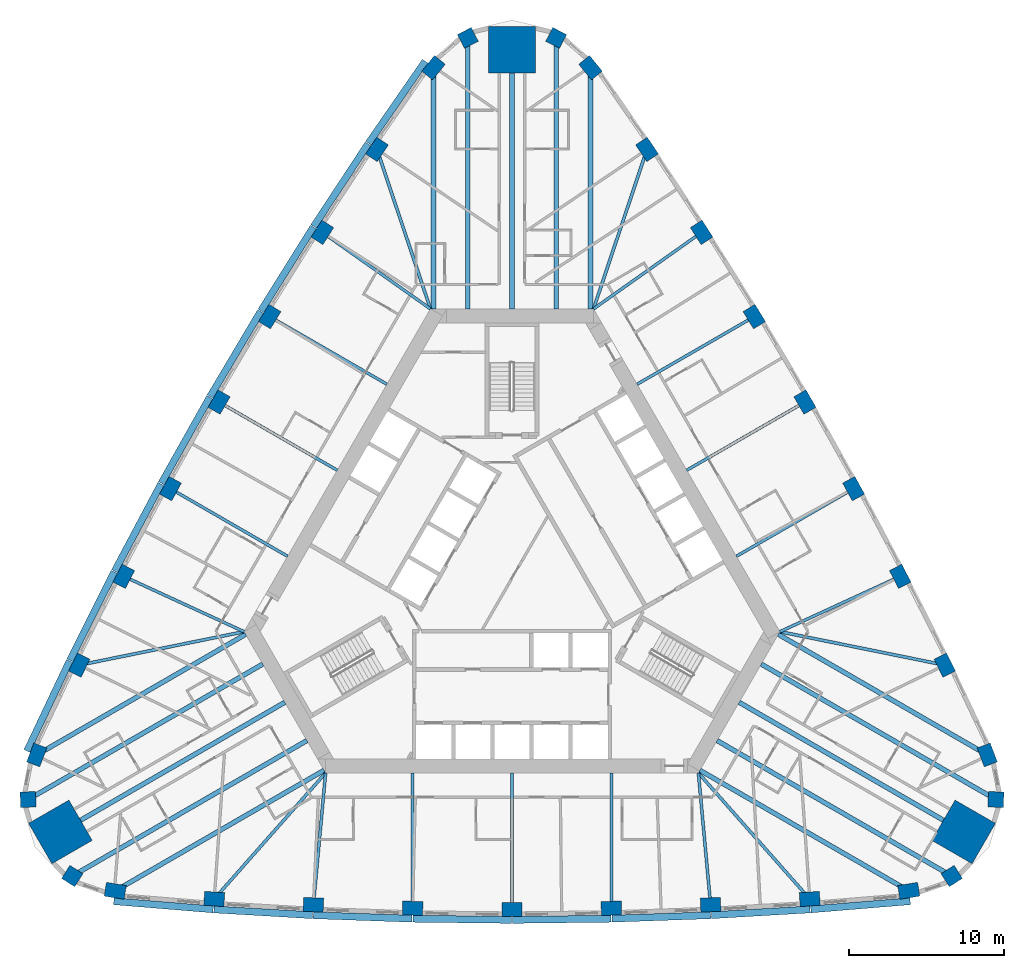
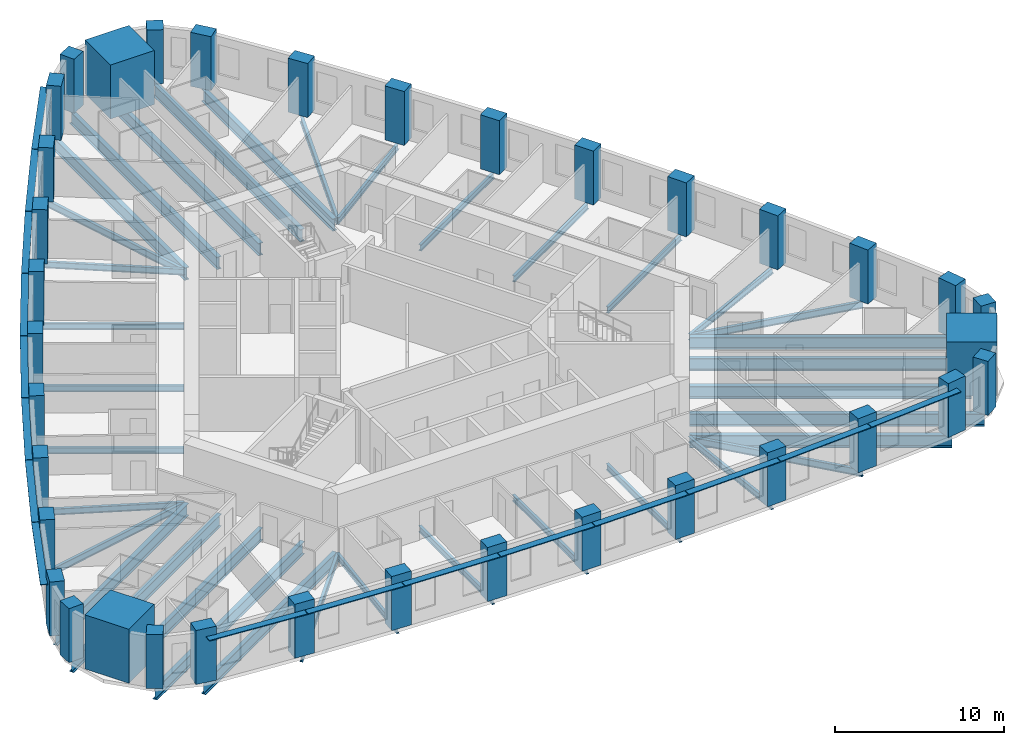
# One storey, part 1 of 13: 36 beams, 36 columns, 16 members.
"""IFC4 building model written with IfcOpenShell, lengths in metres."""

from ifc_helpers import new_model, si_unit, direction, frame, origin, origin_2d, place, context, subcontext, project, spatial, rectangle, i_section, extrude, material, material_profile, profile_set, type_object, element, save


model = new_model("IFC4")

# Units and contexts
model_context = context("Model", 3, precision=1e-05, world=origin(), true_north=direction((0.0, 1.0)))
body_context = subcontext(model_context, "Body", "Model", "MODEL_VIEW")
ifc_project = project(units=[si_unit("LENGTHUNIT", "METRE"), si_unit("AREAUNIT", "SQUARE_METRE"), si_unit("VOLUMEUNIT", "CUBIC_METRE"), si_unit("PLANEANGLEUNIT", "RADIAN"), si_unit("MASSUNIT", "GRAM", prefix="KILO")], contexts=[model_context])

# Site, building, storey
site_placement = place(None, origin())
site = spatial("IfcSite", under=ifc_project, at=site_placement, CompositionType="ELEMENT")
building_placement = place(site_placement, origin())
building = spatial("IfcBuilding", under=site, at=building_placement, Name="Mestral Congress Tower", CompositionType="ELEMENT")
storey_placement = place(building_placement, frame((0.0, 0.0, 83.699951171875)))
storey = spatial("IfcBuildingStorey", under=building, at=storey_placement, Name="L19", CompositionType="ELEMENT", Elevation=83.699951171875)

# Columns
ifc_material_1 = material(Name="Concrete C70/85", Category="concrete")
ifc_material_profile_1 = material_profile(ifc_material_1, rectangle(XDim=1.0, YDim=1.0, at=origin_2d()), Name="RC 1000x1000")
ifc_profile_set_1 = profile_set([ifc_material_profile_1], Name="Concrete C70/85")
column_type_1 = type_object("IfcColumnType", Name="Column RC 1000x1000 C70/85", PredefinedType="COLUMN", material=ifc_profile_set_1)
for number, where, z_axis, x_axis, name in (
    (1, (28.331298828125, -19.642822265625, 0.0), (0.0, 0.0, 1.0), (0.841700252504, 0.53994507585, 0.0), "COL-L19-C2-SE1"),
    (2, (31.1767578125, -14.714111328125, 0.0), (0.0, 0.0, 1.0), (0.046756026083, 0.998906338965, 0.0), "COL-L19-C2-SE3"),
    (3, (2.845703125, 34.35693359375, 0.0), (0.0, 0.0, 1.0), (-0.888456278587, 0.458961263115, 0.0), "COL-L19-C2-N1"),
    (4, (-2.845703125, 34.35693359375, 0.0), (0.0, 0.0, 1.0), (-0.888456278587, -0.458961263115, 0.0), "COL-L19-C2-N3"),
    (5, (-31.1767578125, -14.714111328125, 0.0), (0.0, 0.0, 1.0), (0.046756026083, -0.998906338965, 0.0), "COL-L19-C2-SW1"),
    (6, (-28.331298828125, -19.642822265625, 0.0), (0.0, 0.0, 1.0), (0.841700252504, -0.53994507585, 0.0), "COL-L19-C2-SW3"),
):
    element("IfcColumn", number, at=place(storey_placement, frame(where, z_axis=z_axis, x_axis=x_axis)), inside=storey, type_object=column_type_1, Name=name, PredefinedType="COLUMN", context=body_context, shape_type="SweptSolid", body=[
        extrude(rectangle(XDim=1.0, YDim=1.0, at=origin_2d()), origin(), (0.0, 0.0, 1.0), 3.900146484375),
    ])
ifc_material_profile_2 = material_profile(ifc_material_1, rectangle(XDim=1.300048828125, YDim=0.89990234375, at=origin_2d()), Name="RC 1300x900")
ifc_profile_set_2 = profile_set([ifc_material_profile_2], Name="Concrete C70/85")
column_type_2 = type_object("IfcColumnType", Name="Column RC 1300x900 C70/85", PredefinedType="COLUMN", material=ifc_profile_set_2)
for number, where, z_axis, x_axis, name in (
    (7, (-25.562744140625, -20.59716796875, 0.0), (0.0, 0.0, 1.0), (0.987202314361, -0.159472851987, 0.0), "COL-L19-C2-S00"),
    (8, (-19.184326171875, -21.120361328125, 0.0), (0.0, 0.0, 1.0), (0.997539884588, -0.07010120296, 0.0), "COL-L19-C2-S01"),
    (9, (-12.79541015625, -21.494384765625, 0.0), (0.0, 0.0, 1.0), (0.998906338965, -0.046756026083, 0.0), "COL-L19-C2-S02"),
    (10, (-6.3994140625, -21.71875, 0.0), (0.0, 0.0, 1.0), (0.99972656776, -0.023383535144, 0.0), "COL-L19-C2-S03"),
    (11, (0.0, -21.793701171875, 0.0), (0.0, 0.0, 1.0), (1.0, 0.0, 0.0), "COL-L19-C2-S04"),
    (12, (6.3994140625, -21.71875, 0.0), (0.0, 0.0, 1.0), (0.99972656776, 0.023383535144, 0.0), "COL-L19-C2-S05"),
    (13, (12.79541015625, -21.494384765625, 0.0), (0.0, 0.0, 1.0), (0.998906338965, 0.046756026083, 0.0), "COL-L19-C2-S06"),
    (14, (19.184326171875, -21.120361328125, 0.0), (0.0, 0.0, 1.0), (0.997539884588, 0.07010120296, 0.0), "COL-L19-C2-S07"),
    (15, (25.562744140625, -20.59716796875, 0.0), (0.0, 0.0, 1.0), (0.987202314361, 0.159472851987, 0.0), "COL-L19-C2-S08"),
    (16, (30.618896484375, -11.83935546875, 0.0), (0.0, 0.0, 1.0), (-0.355493616145, 0.934678708905, 0.0), "COL-L19-C2-E00"),
    (17, (27.8828125, -6.0537109375, 0.0), (0.0, 0.0, 1.0), (-0.438060519695, 0.898945482821, 0.0), "COL-L19-C2-E01"),
    (18, (25.01220703125, -0.333984375, 0.0), (0.0, 0.0, 1.0), (-0.458961263115, 0.888456278587, 0.0), "COL-L19-C2-E02"),
    (19, (22.0087890625, 5.3173828125, 0.0), (0.0, 0.0, 1.0), (-0.479612548415, 0.87748037209, 0.0), "COL-L19-C2-E03"),
    (20, (18.873779296875, 10.896728515625, 0.0), (0.0, 0.0, 1.0), (-0.5, 0.866025403784, 0.0), "COL-L19-C2-E04"),
    (21, (15.609375, 16.401611328125, 0.0), (0.0, 0.0, 1.0), (-0.520114019344, 0.854096836946, 0.0), "COL-L19-C2-E05"),
    (22, (12.217041015625, 21.828369140625, 0.0), (0.0, 0.0, 1.0), (-0.53994507585, 0.841700252504, 0.0), "COL-L19-C2-E06"),
    (23, (8.69873046875, 27.17431640625, 0.0), (0.0, 0.0, 1.0), (-0.559479364893, 0.828844279861, 0.0), "COL-L19-C2-E07"),
    (24, (5.056396484375, 32.4365234375, 0.0), (0.0, 0.0, 1.0), (-0.631708698215, 0.775205856918, 0.0), "COL-L19-C2-E08"),
    (25, (-5.056396484375, 32.4365234375, 0.0), (0.0, 0.0, 1.0), (-0.631708698215, -0.775205856918, 0.0), "COL-L19-C2-W00"),
    (26, (-8.69873046875, 27.17431640625, 0.0), (0.0, 0.0, 1.0), (-0.559479364893, -0.828844279861, 0.0), "COL-L19-C2-W01"),
    (27, (-12.217041015625, 21.828369140625, 0.0), (0.0, 0.0, 1.0), (-0.53994507585, -0.841700252504, 0.0), "COL-L19-C2-W02"),
    (28, (-15.609375, 16.401611328125, 0.0), (0.0, 0.0, 1.0), (-0.520114019344, -0.854096836946, 0.0), "COL-L19-C2-W03"),
    (29, (-18.873779296875, 10.896728515625, 0.0), (0.0, 0.0, 1.0), (-0.5, -0.866025403784, 0.0), "COL-L19-C2-W04"),
    (30, (-22.0087890625, 5.3173828125, 0.0), (0.0, 0.0, 1.0), (-0.479612548415, -0.87748037209, 0.0), "COL-L19-C2-W05"),
    (31, (-25.01220703125, -0.333984375, 0.0), (0.0, 0.0, 1.0), (-0.458961263115, -0.888456278587, 0.0), "COL-L19-C2-W06"),
    (32, (-27.8828125, -6.0537109375, 0.0), (0.0, 0.0, 1.0), (-0.438060519695, -0.898945482821, 0.0), "COL-L19-C2-W07"),
    (33, (-30.618896484375, -11.83935546875, 0.0), (0.0, 0.0, 1.0), (-0.355493616145, -0.934678708905, 0.0), "COL-L19-C2-W08"),
):
    element("IfcColumn", number, at=place(storey_placement, frame(where, z_axis=z_axis, x_axis=x_axis)), inside=storey, type_object=column_type_2, Name=name, PredefinedType="COLUMN", context=body_context, shape_type="SweptSolid", body=[
        extrude(rectangle(XDim=1.300048828125, YDim=0.89990234375, at=origin_2d()), origin(), (0.0, 0.0, 1.0), 3.900146484375),
    ])
ifc_material_2 = material(Name="Concrete C80/95", Category="concrete")
ifc_material_profile_3 = material_profile(ifc_material_2, rectangle(XDim=3.0, YDim=3.0, at=origin_2d()), Name="RC 3000x3000")
ifc_profile_set_3 = profile_set([ifc_material_profile_3], Name="Concrete C80/95")
column_type_3 = type_object("IfcColumnType", Name="Mega column RC 3000x3000 C80/95", PredefinedType="COLUMN", material=ifc_profile_set_3)
for number, where, z_axis, x_axis, name in (
    (34, (29.09716796875, -16.79931640625, 0.0), (0.0, 0.0, 1.0), (0.866025403784, -0.5, 0.0), "COL-L19-PY2-SE"),
    (35, (0.0, 33.598388671875, 0.0), (0.0, 0.0, 1.0), (0.0, 1.0, 0.0), "COL-L19-PY2-N"),
    (36, (-29.09716796875, -16.79931640625, 0.0), (0.0, 0.0, 1.0), (-0.866025403784, -0.5, 0.0), "COL-L19-PY2-SW"),
):
    element("IfcColumn", number, at=place(storey_placement, frame(where, z_axis=z_axis, x_axis=x_axis)), inside=storey, type_object=column_type_3, Name=name, PredefinedType="COLUMN", context=body_context, shape_type="SweptSolid", body=[
        extrude(rectangle(XDim=3.0, YDim=3.0, at=origin_2d()), origin(), (0.0, 0.0, 1.0), 3.900146484375),
    ])

# Members
ifc_material_3 = material(Name="Glazed ceramic", Category="masonry")
ifc_material_profile_4 = material_profile(ifc_material_3, rectangle(XDim=0.449951171875, YDim=0.06005859375, at=origin_2d()), Name="Ceramic blade 450 x 60")
ifc_profile_set_4 = profile_set([ifc_material_profile_4], Name="Glazed ceramic")
member_type = type_object("IfcMemberType", Name="Facade sunshade blade 450 x 60", PredefinedType="USERDEFINED", material=ifc_profile_set_4)
member_1_placement = place(storey_placement, frame((-25.654296875, -21.266845703125, 3.280029296875), z_axis=(0.996650616323, -0.081777435656, 0.0), x_axis=(0.081777435656, 0.996650616323, 0.0)))
element("IfcMember", 37, at=member_1_placement, inside=storey, type_object=member_type, Name="Sunshade F0-00", ObjectType="SUNSHADE", PredefinedType="USERDEFINED", context=body_context, shape_type="SweptSolid", body=[
    extrude(rectangle(XDim=0.449951171875, YDim=0.06005859375, at=origin_2d()), origin(), (0.0, 0.0, 1.0), 6.421630859375),
])
for number, where, z_axis, x_axis, name in (
    (38, (-19.208984375, -21.795166015625, 3.280029296875), (0.998292825409, -0.05840748871, 0.0), (0.05840748871, 0.998292825409, 0.0), "Sunshade F0-01"),
    (39, (-12.80419921875, -22.16943359375, 3.280029296875), (0.999384970229, -0.035066811664, 0.0), (0.035066811664, 0.999384970229, 0.0), "Sunshade F0-02"),
    (40, (-6.392578125, -22.393798828125, 3.280029296875), (0.999931231966, -0.011727375608, 0.0), (0.011727375608, 0.999931231966, 0.0), "Sunshade F0-03"),
    (41, (0.022705078125, -22.468505859375, 3.280029296875), (0.999931231966, 0.011727375608, 0.0), (-0.011727375608, 0.999931231966, 0.0), "Sunshade F0-04"),
    (42, (6.437744140625, -22.392822265625, 3.280029296875), (0.999384970229, 0.035066811664, 0.0), (-0.035066811664, 0.999384970229, 0.0), "Sunshade F0-05"),
    (43, (12.849609375, -22.167236328125, 3.280029296875), (0.998292825409, 0.05840748871, 0.0), (-0.05840748871, 0.998292825409, 0.0), "Sunshade F0-06"),
):
    element("IfcMember", number, at=place(storey_placement, frame(where, z_axis=z_axis, x_axis=x_axis)), inside=storey, type_object=member_type, Name=name, ObjectType="SUNSHADE", PredefinedType="USERDEFINED", context=body_context, shape_type="SweptSolid", body=[
        extrude(rectangle(XDim=0.449951171875, YDim=0.06005859375, at=origin_2d()), origin(), (0.0, 0.0, 1.0), 6.370361328125),
    ])
for number, where, z_axis, x_axis, name in (
    (44, (19.254150390625, -21.7919921875, 3.280029296875), (0.996650616323, 0.081777435656, 0.0), (-0.081777435656, 0.996650616323, 0.0), "Sunshade F0-07"),
    (45, (-5.590576171875, 32.8505859375, 3.280029296875), (-0.569144736399, -0.822237355652, 0.0), (0.822237355652, -0.569144736399, 0.0), "Sunshade F2-00"),
):
    element("IfcMember", number, at=place(storey_placement, frame(where, z_axis=z_axis, x_axis=x_axis)), inside=storey, type_object=member_type, Name=name, ObjectType="SUNSHADE", PredefinedType="USERDEFINED", context=body_context, shape_type="SweptSolid", body=[
        extrude(rectangle(XDim=0.449951171875, YDim=0.06005859375, at=origin_2d()), origin(), (0.0, 0.0, 1.0), 6.421630859375),
    ])
for number, where, z_axis, x_axis, name in (
    (46, (-9.2705078125, 27.532958984375, 3.280029296875), (-0.549764307833, -0.835319822483, 0.0), (0.835319822483, -0.549764307833, 0.0), "Sunshade F2-01"),
    (47, (-12.797119140625, 22.173583984375, 3.280029296875), (-0.530060946156, -0.847959547007, 0.0), (0.847959547007, -0.530060946156, 0.0), "Sunshade F2-02"),
    (48, (-16.197509765625, 16.733154296875, 3.280029296875), (-0.510098606231, -0.86011592935, 0.0), (0.86011592935, -0.510098606231, 0.0), "Sunshade F2-03"),
    (49, (-19.469482421875, 11.214599609375, 3.280029296875), (-0.489860886888, -0.871800614531, 0.0), (0.871800614531, -0.489860886888, 0.0), "Sunshade F2-04"),
    (50, (-22.61181640625, 5.62109375, 3.280029296875), (-0.469318672425, -0.883028869128, 0.0), (0.883028869128, -0.469318672425, 0.0), "Sunshade F2-05"),
):
    element("IfcMember", number, at=place(storey_placement, frame(where, z_axis=z_axis, x_axis=x_axis)), inside=storey, type_object=member_type, Name=name, ObjectType="SUNSHADE", PredefinedType="USERDEFINED", context=body_context, shape_type="SweptSolid", body=[
        extrude(rectangle(XDim=0.449951171875, YDim=0.06005859375, at=origin_2d()), origin(), (0.0, 0.0, 1.0), 6.370361328125),
    ])
member_2_placement = place(storey_placement, frame((-25.622314453125, -0.04443359375, 3.280029296875), z_axis=(-0.448531530965, -0.893767008638, 0.0), x_axis=(0.893767008638, -0.448531530965, 0.0)))
element("IfcMember", 51, at=member_2_placement, inside=storey, type_object=member_type, Name="Sunshade F2-06", ObjectType="SUNSHADE", PredefinedType="USERDEFINED", context=body_context, shape_type="SweptSolid", body=[
    extrude(rectangle(XDim=0.449951171875, YDim=0.06005859375, at=origin_2d()), origin(), (0.0, 0.0, 1.0), 6.3701171875),
])
member_3_placement = place(storey_placement, frame((-28.49951171875, -5.778564453125, 3.280029296875), z_axis=(-0.427519164001, -0.904006285604, 0.0), x_axis=(0.904006285604, -0.427519164001, 0.0)))
element("IfcMember", 52, at=member_3_placement, inside=storey, type_object=member_type, Name="Sunshade F2-07", ObjectType="SUNSHADE", PredefinedType="USERDEFINED", context=body_context, shape_type="SweptSolid", body=[
    extrude(rectangle(XDim=0.449951171875, YDim=0.06005859375, at=origin_2d()), origin(), (0.0, 0.0, 1.0), 6.421630859375),
])

# Beams
ifc_material_4 = material(Name="Steel S355", Category="steel")
ifc_material_profile_5 = material_profile(ifc_material_4, i_section(OverallWidth=0.300048828125, OverallDepth=0.89990234375, WebThickness=0.0185546875, FlangeThickness=0.034912109375, FilletRadius=0.030029296875, at=origin_2d()), Name="HEB 900")
ifc_profile_set_5 = profile_set([ifc_material_profile_5], Name="Steel S355")
beam_type_1 = type_object("IfcBeamType", Name="Floor beam HEB 900 S355", PredefinedType="BEAM", material=ifc_profile_set_5)
for number, where, z_axis, x_axis, name in (
    (53, (-25.562744140625, -20.59716796875, -0.699951171875), (0.866024914115, 0.500000848131, 0.0), (-0.500000848131, 0.866024914115, 0.0), "BM-L19-RB2-S00"),
    (54, (25.562744140625, -20.59716796875, -0.699951171875), (-0.866024914115, 0.500000848131, 0.0), (-0.500000848131, -0.866024914115, 0.0), "BM-L19-RB2-S08"),
):
    element("IfcBeam", number, at=place(storey_placement, frame(where, z_axis=z_axis, x_axis=x_axis)), inside=storey, type_object=beam_type_1, Name=name, PredefinedType="BEAM", context=body_context, shape_type="SweptSolid", body=[
        extrude(i_section(OverallWidth=0.300048828125, OverallDepth=0.89990234375, WebThickness=0.0185546875, FlangeThickness=0.034912109375, FilletRadius=0.030029296875, at=origin_2d()), origin(), (0.0, 0.0, 1.0), 15.53662109375),
    ])
beam_1_placement = place(storey_placement, frame((28.331298828125, -19.642822265625, -0.699951171875), z_axis=(-0.866024423162, 0.500001698484, 0.0), x_axis=(-0.500001698484, -0.866024423162, 0.0)))
element("IfcBeam", 55, at=beam_1_placement, inside=storey, type_object=beam_type_1, Name="BM-L19-RB2-SE1", PredefinedType="BEAM", context=body_context, shape_type="SweptSolid", body=[
    extrude(i_section(OverallWidth=0.300048828125, OverallDepth=0.89990234375, WebThickness=0.0185546875, FlangeThickness=0.034912109375, FilletRadius=0.030029296875, at=origin_2d()), origin(), (0.0, 0.0, 1.0), 17.45703125),
])
beam_2_placement = place(storey_placement, frame((29.09716796875, -16.79931640625, -0.699951171875), z_axis=(-0.86602392139, 0.500002567573, 0.0), x_axis=(-0.500002567573, -0.86602392139, 0.0)))
element("IfcBeam", 56, at=beam_2_placement, inside=storey, type_object=beam_type_1, Name="BM-L19-RB2-SE", PredefinedType="BEAM", context=body_context, shape_type="SweptSolid", body=[
    extrude(i_section(OverallWidth=0.300048828125, OverallDepth=0.89990234375, WebThickness=0.0185546875, FlangeThickness=0.034912109375, FilletRadius=0.030029296875, at=origin_2d()), origin(), (0.0, 0.0, 1.0), 16.69873046875),
])
beam_3_placement = place(storey_placement, frame((31.1767578125, -14.714111328125, -0.699951171875), z_axis=(-0.866024423162, 0.500001698484, 0.0), x_axis=(-0.500001698484, -0.866024423162, 0.0)))
element("IfcBeam", 57, at=beam_3_placement, inside=storey, type_object=beam_type_1, Name="BM-L19-RB2-SE3", PredefinedType="BEAM", context=body_context, shape_type="SweptSolid", body=[
    extrude(i_section(OverallWidth=0.300048828125, OverallDepth=0.89990234375, WebThickness=0.0185546875, FlangeThickness=0.034912109375, FilletRadius=0.030029296875, at=origin_2d()), origin(), (0.0, 0.0, 1.0), 17.45703125),
])
beam_4_placement = place(storey_placement, frame((30.618896484375, -11.83935546875, -0.699951171875), z_axis=(-0.866020985544, 0.500007652538, 0.0), x_axis=(-0.500007652538, -0.866020985544, 0.0)))
element("IfcBeam", 58, at=beam_4_placement, inside=storey, type_object=beam_type_1, Name="BM-L19-RB2-E00", PredefinedType="BEAM", context=body_context, shape_type="SweptSolid", body=[
    extrude(i_section(OverallWidth=0.300048828125, OverallDepth=0.89990234375, WebThickness=0.0185546875, FlangeThickness=0.034912109375, FilletRadius=0.030029296875, at=origin_2d()), origin(), (0.0, 0.0, 1.0), 15.536376953125),
])
beam_5_placement = place(storey_placement, frame((5.056396484375, 32.4365234375, -0.699951171875), z_axis=(0.0, -1.0, 0.0), x_axis=(1.0, 0.0, 0.0)))
element("IfcBeam", 59, at=beam_5_placement, inside=storey, type_object=beam_type_1, Name="BM-L19-RB2-E08", PredefinedType="BEAM", context=body_context, shape_type="SweptSolid", body=[
    extrude(i_section(OverallWidth=0.300048828125, OverallDepth=0.89990234375, WebThickness=0.0185546875, FlangeThickness=0.034912109375, FilletRadius=0.030029296875, at=origin_2d()), origin(), (0.0, 0.0, 1.0), 15.53662109375),
])
beam_6_placement = place(storey_placement, frame((2.845703125, 34.35693359375, -0.699951171875), z_axis=(0.0, -1.0, 0.0), x_axis=(1.0, 0.0, 0.0)))
element("IfcBeam", 60, at=beam_6_placement, inside=storey, type_object=beam_type_1, Name="BM-L19-RB2-N1", PredefinedType="BEAM", context=body_context, shape_type="SweptSolid", body=[
    extrude(i_section(OverallWidth=0.300048828125, OverallDepth=0.89990234375, WebThickness=0.0185546875, FlangeThickness=0.034912109375, FilletRadius=0.030029296875, at=origin_2d()), origin(), (0.0, 0.0, 1.0), 17.45703125),
])
beam_7_placement = place(storey_placement, frame((0.0, 33.598388671875, -0.699951171875), z_axis=(0.0, -1.0, 0.0), x_axis=(1.0, 0.0, 0.0)))
element("IfcBeam", 61, at=beam_7_placement, inside=storey, type_object=beam_type_1, Name="BM-L19-RB2-N", PredefinedType="BEAM", context=body_context, shape_type="SweptSolid", body=[
    extrude(i_section(OverallWidth=0.300048828125, OverallDepth=0.89990234375, WebThickness=0.0185546875, FlangeThickness=0.034912109375, FilletRadius=0.030029296875, at=origin_2d()), origin(), (0.0, 0.0, 1.0), 16.698486328125),
])
beam_8_placement = place(storey_placement, frame((-2.845703125, 34.35693359375, -0.699951171875), z_axis=(0.0, -1.0, 0.0), x_axis=(1.0, 0.0, 0.0)))
element("IfcBeam", 62, at=beam_8_placement, inside=storey, type_object=beam_type_1, Name="BM-L19-RB2-N3", PredefinedType="BEAM", context=body_context, shape_type="SweptSolid", body=[
    extrude(i_section(OverallWidth=0.300048828125, OverallDepth=0.89990234375, WebThickness=0.0185546875, FlangeThickness=0.034912109375, FilletRadius=0.030029296875, at=origin_2d()), origin(), (0.0, 0.0, 1.0), 17.45703125),
])
beam_9_placement = place(storey_placement, frame((-5.056396484375, 32.4365234375, -0.699951171875), z_axis=(0.0, -1.0, 0.0), x_axis=(1.0, 0.0, 0.0)))
element("IfcBeam", 63, at=beam_9_placement, inside=storey, type_object=beam_type_1, Name="BM-L19-RB2-W00", PredefinedType="BEAM", context=body_context, shape_type="SweptSolid", body=[
    extrude(i_section(OverallWidth=0.300048828125, OverallDepth=0.89990234375, WebThickness=0.0185546875, FlangeThickness=0.034912109375, FilletRadius=0.030029296875, at=origin_2d()), origin(), (0.0, 0.0, 1.0), 15.53662109375),
])
beam_10_placement = place(storey_placement, frame((-30.618896484375, -11.83935546875, -0.699951171875), z_axis=(0.866020985544, 0.500007652538, 0.0), x_axis=(-0.500007652538, 0.866020985544, 0.0)))
element("IfcBeam", 64, at=beam_10_placement, inside=storey, type_object=beam_type_1, Name="BM-L19-RB2-W08", PredefinedType="BEAM", context=body_context, shape_type="SweptSolid", body=[
    extrude(i_section(OverallWidth=0.300048828125, OverallDepth=0.89990234375, WebThickness=0.0185546875, FlangeThickness=0.034912109375, FilletRadius=0.030029296875, at=origin_2d()), origin(), (0.0, 0.0, 1.0), 15.536376953125),
])
beam_11_placement = place(storey_placement, frame((-31.1767578125, -14.714111328125, -0.699951171875), z_axis=(0.866024423162, 0.500001698484, 0.0), x_axis=(-0.500001698484, 0.866024423162, 0.0)))
element("IfcBeam", 65, at=beam_11_placement, inside=storey, type_object=beam_type_1, Name="BM-L19-RB2-SW1", PredefinedType="BEAM", context=body_context, shape_type="SweptSolid", body=[
    extrude(i_section(OverallWidth=0.300048828125, OverallDepth=0.89990234375, WebThickness=0.0185546875, FlangeThickness=0.034912109375, FilletRadius=0.030029296875, at=origin_2d()), origin(), (0.0, 0.0, 1.0), 17.45703125),
])
beam_12_placement = place(storey_placement, frame((-29.09716796875, -16.79931640625, -0.699951171875), z_axis=(0.86602392139, 0.500002567573, 0.0), x_axis=(-0.500002567573, 0.86602392139, 0.0)))
element("IfcBeam", 66, at=beam_12_placement, inside=storey, type_object=beam_type_1, Name="BM-L19-RB2-SW", PredefinedType="BEAM", context=body_context, shape_type="SweptSolid", body=[
    extrude(i_section(OverallWidth=0.300048828125, OverallDepth=0.89990234375, WebThickness=0.0185546875, FlangeThickness=0.034912109375, FilletRadius=0.030029296875, at=origin_2d()), origin(), (0.0, 0.0, 1.0), 16.69873046875),
])
beam_13_placement = place(storey_placement, frame((-28.331298828125, -19.642822265625, -0.699951171875), z_axis=(0.866024423162, 0.500001698484, 0.0), x_axis=(-0.500001698484, 0.866024423162, 0.0)))
element("IfcBeam", 67, at=beam_13_placement, inside=storey, type_object=beam_type_1, Name="BM-L19-RB2-SW3", PredefinedType="BEAM", context=body_context, shape_type="SweptSolid", body=[
    extrude(i_section(OverallWidth=0.300048828125, OverallDepth=0.89990234375, WebThickness=0.0185546875, FlangeThickness=0.034912109375, FilletRadius=0.030029296875, at=origin_2d()), origin(), (0.0, 0.0, 1.0), 17.45703125),
])
ifc_material_profile_6 = material_profile(ifc_material_4, i_section(OverallWidth=0.18994140625, OverallDepth=0.449951171875, WebThickness=0.009521484375, FlangeThickness=0.0146484375, FilletRadius=0.02099609375, at=origin_2d()), Name="IPE 450")
ifc_profile_set_6 = profile_set([ifc_material_profile_6], Name="Steel S355")
beam_type_2 = type_object("IfcBeamType", Name="Floor beam IPE 450 S355", PredefinedType="BEAM", material=ifc_profile_set_6)
beam_14_placement = place(storey_placement, frame((-12.79541015625, -21.494384765625, -0.474853515625), z_axis=(0.092210296494, 0.995739554914, 0.0), x_axis=(-0.995739554914, 0.092210296494, 0.0)))
element("IfcBeam", 68, at=beam_14_placement, inside=storey, type_object=beam_type_2, Name="BM-L19-RB2-S02", PredefinedType="BEAM", context=body_context, shape_type="SweptSolid", body=[
    extrude(i_section(OverallWidth=0.18994140625, OverallDepth=0.449951171875, WebThickness=0.009521484375, FlangeThickness=0.0146484375, FilletRadius=0.02099609375, at=origin_2d()), origin(), (0.0, 0.0, 1.0), 8.53076171875),
])
beam_15_placement = place(storey_placement, frame((-6.3994140625, -21.71875, -0.474853515625), z_axis=(0.0, 1.0, 0.0), x_axis=(-1.0, 0.0, 0.0)))
element("IfcBeam", 69, at=beam_15_placement, inside=storey, type_object=beam_type_2, Name="BM-L19-RB2-S03", PredefinedType="BEAM", context=body_context, shape_type="SweptSolid", body=[
    extrude(i_section(OverallWidth=0.18994140625, OverallDepth=0.449951171875, WebThickness=0.009521484375, FlangeThickness=0.0146484375, FilletRadius=0.02099609375, at=origin_2d()), origin(), (0.0, 0.0, 1.0), 8.71875),
])
beam_16_placement = place(storey_placement, frame((0.0, -21.793701171875, -0.474853515625), z_axis=(0.0, 1.0, 0.0), x_axis=(-1.0, 0.0, 0.0)))
element("IfcBeam", 70, at=beam_16_placement, inside=storey, type_object=beam_type_2, Name="BM-L19-RB2-S04", PredefinedType="BEAM", context=body_context, shape_type="SweptSolid", body=[
    extrude(i_section(OverallWidth=0.18994140625, OverallDepth=0.449951171875, WebThickness=0.009521484375, FlangeThickness=0.0146484375, FilletRadius=0.02099609375, at=origin_2d()), origin(), (0.0, 0.0, 1.0), 8.793701171875),
])
beam_17_placement = place(storey_placement, frame((6.3994140625, -21.71875, -0.474853515625), z_axis=(0.0, 1.0, 0.0), x_axis=(-1.0, 0.0, 0.0)))
element("IfcBeam", 71, at=beam_17_placement, inside=storey, type_object=beam_type_2, Name="BM-L19-RB2-S05", PredefinedType="BEAM", context=body_context, shape_type="SweptSolid", body=[
    extrude(i_section(OverallWidth=0.18994140625, OverallDepth=0.449951171875, WebThickness=0.009521484375, FlangeThickness=0.0146484375, FilletRadius=0.02099609375, at=origin_2d()), origin(), (0.0, 0.0, 1.0), 8.71875),
])
beam_18_placement = place(storey_placement, frame((12.79541015625, -21.494384765625, -0.474853515625), z_axis=(-0.092210296494, 0.995739554914, 0.0), x_axis=(-0.995739554914, -0.092210296494, 0.0)))
element("IfcBeam", 72, at=beam_18_placement, inside=storey, type_object=beam_type_2, Name="BM-L19-RB2-S06", PredefinedType="BEAM", context=body_context, shape_type="SweptSolid", body=[
    extrude(i_section(OverallWidth=0.18994140625, OverallDepth=0.449951171875, WebThickness=0.009521484375, FlangeThickness=0.0146484375, FilletRadius=0.02099609375, at=origin_2d()), origin(), (0.0, 0.0, 1.0), 8.53076171875),
])
beam_19_placement = place(storey_placement, frame((25.01220703125, -0.333984375, -0.474853515625), z_axis=(-0.908439594169, -0.418016152493, 0.0), x_axis=(0.418016152493, -0.908439594169, 0.0)))
element("IfcBeam", 73, at=beam_19_placement, inside=storey, type_object=beam_type_2, Name="BM-L19-RB2-E02", PredefinedType="BEAM", context=body_context, shape_type="SweptSolid", body=[
    extrude(i_section(OverallWidth=0.18994140625, OverallDepth=0.449951171875, WebThickness=0.009521484375, FlangeThickness=0.0146484375, FilletRadius=0.02099609375, at=origin_2d()), origin(), (0.0, 0.0, 1.0), 8.530517578125),
])
beam_20_placement = place(storey_placement, frame((22.0087890625, 5.3173828125, -0.474853515625), z_axis=(-0.866028909405, -0.499993928037, 0.0), x_axis=(0.499993928037, -0.866028909405, 0.0)))
element("IfcBeam", 74, at=beam_20_placement, inside=storey, type_object=beam_type_2, Name="BM-L19-RB2-E03", PredefinedType="BEAM", context=body_context, shape_type="SweptSolid", body=[
    extrude(i_section(OverallWidth=0.18994140625, OverallDepth=0.449951171875, WebThickness=0.009521484375, FlangeThickness=0.0146484375, FilletRadius=0.02099609375, at=origin_2d()), origin(), (0.0, 0.0, 1.0), 8.71875),
])
beam_21_placement = place(storey_placement, frame((18.873779296875, 10.896728515625, -0.474853515625), z_axis=(-0.866028853432, -0.499994024988, 0.0), x_axis=(0.499994024988, -0.866028853432, 0.0)))
element("IfcBeam", 75, at=beam_21_placement, inside=storey, type_object=beam_type_2, Name="BM-L19-RB2-E04", PredefinedType="BEAM", context=body_context, shape_type="SweptSolid", body=[
    extrude(i_section(OverallWidth=0.18994140625, OverallDepth=0.449951171875, WebThickness=0.009521484375, FlangeThickness=0.0146484375, FilletRadius=0.02099609375, at=origin_2d()), origin(), (0.0, 0.0, 1.0), 8.79345703125),
])
beam_22_placement = place(storey_placement, frame((15.609375, 16.401611328125, -0.474853515625), z_axis=(-0.866016784434, -0.500014928855, 0.0), x_axis=(0.500014928855, -0.866016784434, 0.0)))
element("IfcBeam", 76, at=beam_22_placement, inside=storey, type_object=beam_type_2, Name="BM-L19-RB2-E05", PredefinedType="BEAM", context=body_context, shape_type="SweptSolid", body=[
    extrude(i_section(OverallWidth=0.18994140625, OverallDepth=0.449951171875, WebThickness=0.009521484375, FlangeThickness=0.0146484375, FilletRadius=0.02099609375, at=origin_2d()), origin(), (0.0, 0.0, 1.0), 8.718994140625),
])
for number, where, z_axis, x_axis, name in (
    (77, (12.217041015625, 21.828369140625, -0.474853515625), (-0.816231971472, -0.577724301676, 0.0), (0.577724301676, -0.816231971472, 0.0), "BM-L19-RB2-E06"),
    (78, (-12.217041015625, 21.828369140625, -0.474853515625), (0.816231971472, -0.577724301676, 0.0), (0.577724301676, 0.816231971472, 0.0), "BM-L19-RB2-W02"),
):
    element("IfcBeam", number, at=place(storey_placement, frame(where, z_axis=z_axis, x_axis=x_axis)), inside=storey, type_object=beam_type_2, Name=name, PredefinedType="BEAM", context=body_context, shape_type="SweptSolid", body=[
        extrude(i_section(OverallWidth=0.18994140625, OverallDepth=0.449951171875, WebThickness=0.009521484375, FlangeThickness=0.0146484375, FilletRadius=0.02099609375, at=origin_2d()), origin(), (0.0, 0.0, 1.0), 8.53076171875),
    ])
beam_23_placement = place(storey_placement, frame((-15.609375, 16.401611328125, -0.474853515625), z_axis=(0.866016784434, -0.500014928855, 0.0), x_axis=(0.500014928855, 0.866016784434, 0.0)))
element("IfcBeam", 79, at=beam_23_placement, inside=storey, type_object=beam_type_2, Name="BM-L19-RB2-W03", PredefinedType="BEAM", context=body_context, shape_type="SweptSolid", body=[
    extrude(i_section(OverallWidth=0.18994140625, OverallDepth=0.449951171875, WebThickness=0.009521484375, FlangeThickness=0.0146484375, FilletRadius=0.02099609375, at=origin_2d()), origin(), (0.0, 0.0, 1.0), 8.718994140625),
])
beam_24_placement = place(storey_placement, frame((-18.873779296875, 10.896728515625, -0.474853515625), z_axis=(0.866028853432, -0.499994024988, 0.0), x_axis=(0.499994024988, 0.866028853432, 0.0)))
element("IfcBeam", 80, at=beam_24_placement, inside=storey, type_object=beam_type_2, Name="BM-L19-RB2-W04", PredefinedType="BEAM", context=body_context, shape_type="SweptSolid", body=[
    extrude(i_section(OverallWidth=0.18994140625, OverallDepth=0.449951171875, WebThickness=0.009521484375, FlangeThickness=0.0146484375, FilletRadius=0.02099609375, at=origin_2d()), origin(), (0.0, 0.0, 1.0), 8.79345703125),
])
beam_25_placement = place(storey_placement, frame((-22.0087890625, 5.3173828125, -0.474853515625), z_axis=(0.866028909405, -0.499993928037, 0.0), x_axis=(0.499993928037, 0.866028909405, 0.0)))
element("IfcBeam", 81, at=beam_25_placement, inside=storey, type_object=beam_type_2, Name="BM-L19-RB2-W05", PredefinedType="BEAM", context=body_context, shape_type="SweptSolid", body=[
    extrude(i_section(OverallWidth=0.18994140625, OverallDepth=0.449951171875, WebThickness=0.009521484375, FlangeThickness=0.0146484375, FilletRadius=0.02099609375, at=origin_2d()), origin(), (0.0, 0.0, 1.0), 8.71875),
])
beam_26_placement = place(storey_placement, frame((-25.01220703125, -0.333984375, -0.474853515625), z_axis=(0.908439594169, -0.418016152493, 0.0), x_axis=(0.418016152493, 0.908439594169, 0.0)))
element("IfcBeam", 82, at=beam_26_placement, inside=storey, type_object=beam_type_2, Name="BM-L19-RB2-W06", PredefinedType="BEAM", context=body_context, shape_type="SweptSolid", body=[
    extrude(i_section(OverallWidth=0.18994140625, OverallDepth=0.449951171875, WebThickness=0.009521484375, FlangeThickness=0.0146484375, FilletRadius=0.02099609375, at=origin_2d()), origin(), (0.0, 0.0, 1.0), 8.530517578125),
])
ifc_material_profile_7 = material_profile(ifc_material_4, i_section(OverallWidth=0.199951171875, OverallDepth=0.5, WebThickness=0.01025390625, FlangeThickness=0.01611328125, FilletRadius=0.02099609375, at=origin_2d()), Name="IPE 500")
ifc_profile_set_7 = profile_set([ifc_material_profile_7], Name="Steel S355")
beam_type_3 = type_object("IfcBeamType", Name="Floor beam IPE 500 S355", PredefinedType="BEAM", material=ifc_profile_set_7)
for number, where, z_axis, x_axis, name in (
    (83, (-19.184326171875, -21.120361328125, -0.5), (0.662166905822, 0.749356383061, 0.0), (-0.749356383061, 0.662166905822, 0.0), "BM-L19-RB2-S01"),
    (84, (19.184326171875, -21.120361328125, -0.5), (-0.662166905822, 0.749356383061, 0.0), (-0.749356383061, -0.662166905822, 0.0), "BM-L19-RB2-S07"),
    (85, (27.8828125, -6.0537109375, -0.5), (-0.980048529021, 0.198758347656, 0.0), (-0.198758347656, -0.980048529021, 0.0), "BM-L19-RB2-E01"),
    (86, (8.69873046875, 27.17431640625, -0.5), (-0.317889950678, -0.948127617601, 0.0), (0.948127617601, -0.317889950678, 0.0), "BM-L19-RB2-E07"),
    (87, (-8.69873046875, 27.17431640625, -0.5), (0.317889950678, -0.948127617601, 0.0), (0.948127617601, 0.317889950678, 0.0), "BM-L19-RB2-W01"),
    (88, (-27.8828125, -6.0537109375, -0.5), (0.980048529021, 0.198758347656, 0.0), (-0.198758347656, 0.980048529021, 0.0), "BM-L19-RB2-W07"),
):
    element("IfcBeam", number, at=place(storey_placement, frame(where, z_axis=z_axis, x_axis=x_axis)), inside=storey, type_object=beam_type_3, Name=name, PredefinedType="BEAM", context=body_context, shape_type="SweptSolid", body=[
        extrude(i_section(OverallWidth=0.199951171875, OverallDepth=0.5, WebThickness=0.01025390625, FlangeThickness=0.01611328125, FilletRadius=0.02099609375, at=origin_2d()), origin(), (0.0, 0.0, 1.0), 10.83642578125),
    ])

save(model, "model.ifc")
